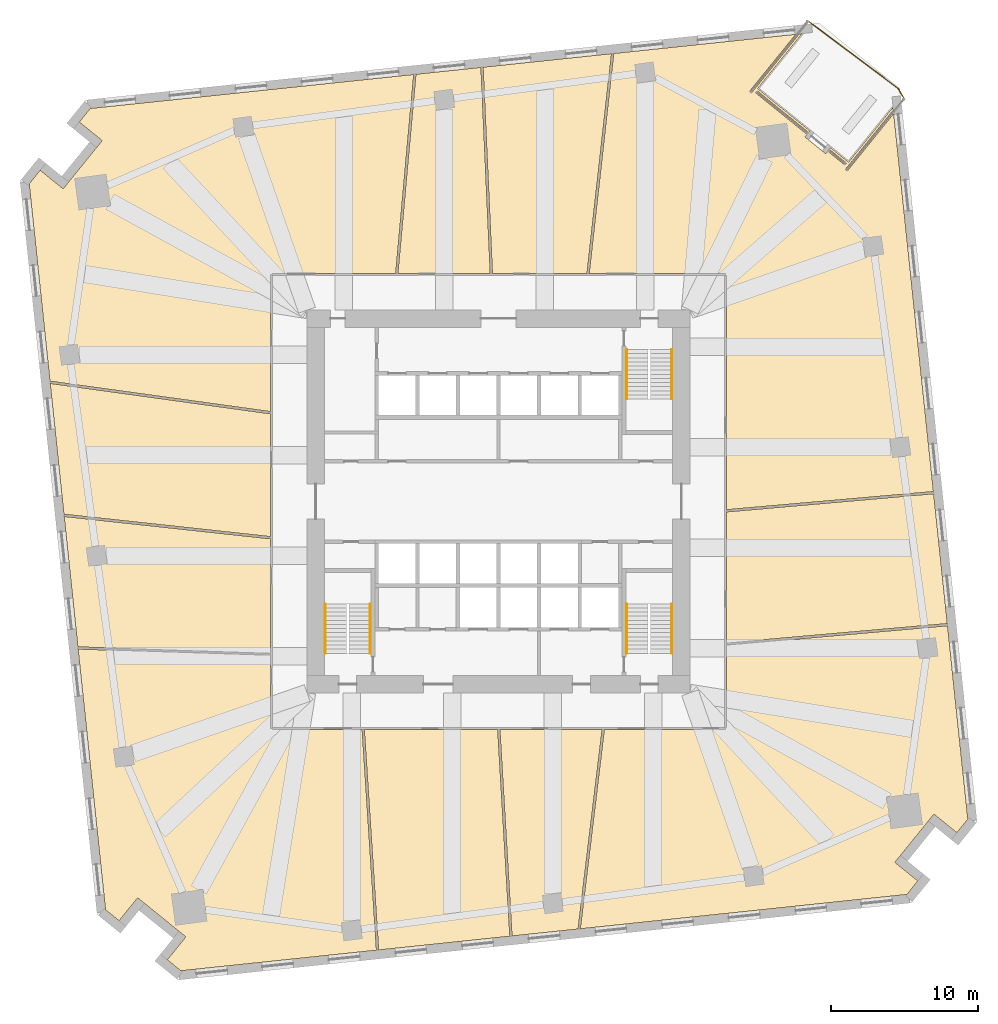
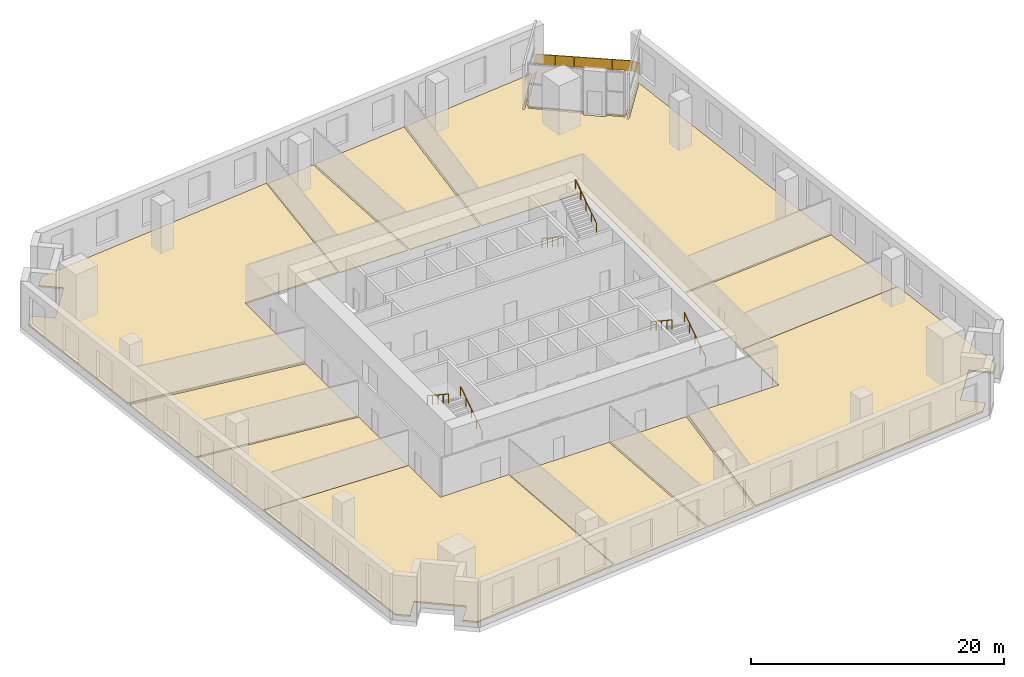
# One storey, part 9 of 10: 11 coverings, 7 railings.
"""IFC4 building model written with IfcOpenShell, lengths in metres."""

from ifc_helpers import new_model, si_unit, direction, frame, origin, origin_2d, place, context, subcontext, project, spatial, polyline, rectangle, circle, outline, extrude, material, layer, layer_set, type_object, element, save


model = new_model("IFC4")

# Units and contexts
model_context = context("Model", 3, precision=1e-05, world=origin(), true_north=direction((0.0, 1.0)))
body_context = subcontext(model_context, "Body", "Model", "MODEL_VIEW")
ifc_project = project(units=[si_unit("LENGTHUNIT", "METRE"), si_unit("AREAUNIT", "SQUARE_METRE"), si_unit("VOLUMEUNIT", "CUBIC_METRE"), si_unit("PLANEANGLEUNIT", "RADIAN"), si_unit("MASSUNIT", "GRAM", prefix="KILO")], contexts=[model_context])

# Site, building, storey
site_placement = place(None, origin())
site = spatial("IfcSite", under=ifc_project, at=site_placement, CompositionType="ELEMENT")
building_placement = place(site_placement, origin())
building = spatial("IfcBuilding", under=site, at=building_placement, Name="Dilmun Exchange Tower", CompositionType="ELEMENT")
storey_placement = place(building_placement, frame((0.0, 0.0, 46.5)))
storey = spatial("IfcBuildingStorey", under=building, at=storey_placement, Name="L10", CompositionType="ELEMENT", Elevation=46.5)

# Coverings
ifc_material_1 = material(Name="Carpet floor finish 50")
ifc_layer_1 = layer(ifc_material_1, 0.050048828125)
ifc_layer_set_1 = layer_set([ifc_layer_1], Name="Carpet floor finish 50")
covering_type_1 = type_object("IfcCoveringType", Name="Carpet floor finish 50", PredefinedType="FLOORING", material=ifc_layer_set_1)
covering_1_placement = place(storey_placement, origin())
element("IfcCovering", 1, at=covering_1_placement, inside=storey, type_object=covering_type_1, Name="Carpet floor finish 50 Broker office 1", PredefinedType="FLOORING", context=body_context, shape_type="SweptSolid", body=[
    extrude(outline(polyline([(-15.47509765625, 5.94482421875), (-15.47509765625, -2.381103515625), (-29.468994140625, -0.864990234375), (-30.4013671875, 8.004638671875), (-15.47509765625, 5.94482421875)])), origin(), (0.0, 0.0, 1.0), 0.050048828125),
])
covering_2_placement = place(storey_placement, origin())
element("IfcCovering", 2, at=covering_2_placement, inside=storey, type_object=covering_type_1, Name="Carpet floor finish 50 Trading support office 1", PredefinedType="FLOORING", context=body_context, shape_type="SweptSolid", body=[
    extrude(outline(polyline([(-15.47509765625, -2.531982421875), (-15.47509765625, -10.28662109375), (-28.5234375, -9.861083984375), (-29.452880859375, -1.017578125), (-15.47509765625, -2.531982421875)])), origin(), (0.0, 0.0, 1.0), 0.050048828125),
])
covering_3_placement = place(storey_placement, origin())
element("IfcCovering", 3, at=covering_3_placement, inside=storey, type_object=covering_type_1, Name="Carpet floor finish 50 Broker office 2", PredefinedType="FLOORING", context=body_context, shape_type="SweptSolid", body=[
    extrude(outline(polyline([(-9.098876953125, -15.47509765625), (-0.05712890625, -15.47509765625), (0.765869140625, -29.4794921875), (-8.12939453125, -30.414306640625), (-9.098876953125, -15.47509765625)])), origin(), (0.0, 0.0, 1.0), 0.050048828125),
])
covering_4_placement = place(storey_placement, origin())
element("IfcCovering", 4, at=covering_4_placement, inside=storey, type_object=covering_type_1, Name="Carpet floor finish 50 Broker office 3", PredefinedType="FLOORING", context=body_context, shape_type="SweptSolid", body=[
    extrude(outline(polyline([(-0.56298828125, 15.47509765625), (-6.822509765625, 15.47509765625), (-5.600830078125, 28.97119140625), (-1.194580078125, 29.434326171875), (-0.56298828125, 15.47509765625)])), origin(), (0.0, 0.0, 1.0), 0.050048828125),
])
covering_5_placement = place(storey_placement, origin())
element("IfcCovering", 5, at=covering_5_placement, inside=storey, type_object=covering_type_1, Name="Carpet floor finish 50 Broker office 4", PredefinedType="FLOORING", context=body_context, shape_type="SweptSolid", body=[
    extrude(outline(polyline([(5.997802734375, 15.47509765625), (-0.41259765625, 15.47509765625), (-1.045166015625, 29.4501953125), (7.659912109375, 30.364990234375), (5.997802734375, 15.47509765625)])), origin(), (0.0, 0.0, 1.0), 0.050048828125),
])
covering_6_placement = place(storey_placement, origin())
element("IfcCovering", 6, at=covering_6_placement, inside=storey, type_object=covering_type_1, Name="Carpet floor finish 50 Trading support office 2", PredefinedType="FLOORING", context=body_context, shape_type="SweptSolid", body=[
    extrude(outline(polyline([(0.093017578125, -15.47509765625), (7.022705078125, -15.47509765625), (5.392822265625, -28.9931640625), (0.915283203125, -29.463623046875), (0.093017578125, -15.47509765625)])), origin(), (0.0, 0.0, 1.0), 0.050048828125),
])
covering_7_placement = place(storey_placement, origin())
element("IfcCovering", 7, at=covering_7_placement, inside=storey, type_object=covering_type_1, Name="Carpet floor finish 50 Garden lounge", PredefinedType="FLOORING", context=body_context, shape_type="SweptSolid", body=[
    extrude(outline(polyline([(17.571044921875, 27.997314453125), (21.116455078125, 25.12646484375), (21.0263671875, 25.015380859375), (17.539306640625, 27.839111328125), (17.5390625, 27.839111328125), (17.5390625, 27.839111328125), (17.538818359375, 27.83935546875), (17.53857421875, 27.83935546875), (17.538330078125, 27.83935546875), (17.5380859375, 27.839599609375), (17.5380859375, 27.839599609375), (17.537841796875, 27.839599609375), (17.53759765625, 27.83935546875), (17.53759765625, 27.83935546875), (17.537353515625, 27.83935546875), (17.537109375, 27.839111328125), (17.536865234375, 27.839111328125), (17.536865234375, 27.839111328125), (17.53662109375, 27.8388671875), (17.53662109375, 27.838623046875), (17.435791015625, 27.71435546875), (17.435791015625, 27.714111328125), (17.435546875, 27.714111328125), (17.435546875, 27.7138671875), (17.435302734375, 27.713623046875), (17.435302734375, 27.71337890625), (17.435302734375, 27.71337890625), (17.435302734375, 27.713134765625), (17.435302734375, 27.712890625), (17.435302734375, 27.712646484375), (17.435302734375, 27.71240234375), (17.435546875, 27.71240234375), (17.435546875, 27.712158203125), (17.435791015625, 27.7119140625), (17.435791015625, 27.7119140625), (17.43603515625, 27.711669921875), (17.43603515625, 27.711669921875), (20.923095703125, 24.8876953125), (20.7861328125, 24.718505859375), (20.785888671875, 24.71826171875), (20.785888671875, 24.718017578125), (20.785888671875, 24.718017578125), (20.78564453125, 24.7177734375), (20.78564453125, 24.717529296875), (20.78564453125, 24.71728515625), (20.78564453125, 24.717041015625), (20.78564453125, 24.716796875), (20.78564453125, 24.716796875), (20.78564453125, 24.716552734375), (20.785888671875, 24.71630859375), (20.785888671875, 24.71630859375), (20.785888671875, 24.716064453125), (20.7861328125, 24.7158203125), (20.7861328125, 24.7158203125), (20.786376953125, 24.715576171875), (22.185302734375, 23.582763671875), (22.185302734375, 23.582763671875), (22.185546875, 23.58251953125), (22.185791015625, 23.58251953125), (22.185791015625, 23.58251953125), (22.18603515625, 23.58251953125), (22.186279296875, 23.58251953125), (22.1865234375, 23.58251953125), (22.186767578125, 23.58251953125), (22.18701171875, 23.58251953125), (22.18701171875, 23.58251953125), (22.187255859375, 23.58251953125), (22.1875, 23.58251953125), (22.1875, 23.582763671875), (22.187744140625, 23.582763671875), (22.18798828125, 23.5830078125), (22.18798828125, 23.5830078125), (22.3251953125, 23.75244140625), (23.48095703125, 22.816650390625), (23.481201171875, 22.816650390625), (23.481201171875, 22.81640625), (23.4814453125, 22.81640625), (23.481689453125, 22.81640625), (23.481689453125, 22.81640625), (23.48193359375, 22.816162109375), (23.482177734375, 22.816162109375), (23.482421875, 22.816162109375), (23.482666015625, 22.81640625), (23.482666015625, 22.81640625), (23.48291015625, 22.81640625), (23.483154296875, 22.81640625), (23.4833984375, 22.816650390625), (23.4833984375, 22.816650390625), (23.483642578125, 22.81689453125), (23.483642578125, 22.81689453125), (23.58447265625, 22.94140625), (23.58447265625, 22.94140625), (23.584716796875, 22.941650390625), (23.584716796875, 22.94189453125), (23.584716796875, 22.94189453125), (23.584716796875, 22.942138671875), (23.584716796875, 22.9423828125), (23.584716796875, 22.942626953125), (23.584716796875, 22.94287109375), (23.584716796875, 22.943115234375), (23.584716796875, 22.943115234375), (23.584716796875, 22.943359375), (23.584716796875, 22.943603515625), (23.58447265625, 22.943603515625), (23.58447265625, 22.94384765625), (23.584228515625, 22.944091796875), (23.583984375, 22.944091796875), (22.428466796875, 23.8798828125), (22.518310546875, 23.9912109375), (23.732421875, 23.008056640625), (26.75, 26.734619140625), (26.771240234375, 26.533447265625), (23.51318359375, 22.510009765625), (23.512939453125, 22.509765625), (23.512939453125, 22.509765625), (23.5126953125, 22.509521484375), (23.5126953125, 22.50927734375), (23.5126953125, 22.509033203125), (23.5126953125, 22.5087890625), (23.5126953125, 22.5087890625), (23.5126953125, 22.508544921875), (23.5126953125, 22.50830078125), (23.5126953125, 22.50830078125), (23.5126953125, 22.508056640625), (23.512939453125, 22.5078125), (23.512939453125, 22.507568359375), (23.51318359375, 22.507568359375), (23.51318359375, 22.50732421875), (23.513427734375, 22.507080078125), (23.6376953125, 22.406494140625), (23.637939453125, 22.406494140625), (23.637939453125, 22.40625), (23.63818359375, 22.40625), (23.638427734375, 22.406005859375), (23.638671875, 22.406005859375), (23.638916015625, 22.406005859375), (23.638916015625, 22.406005859375), (23.63916015625, 22.406005859375), (23.639404296875, 22.406005859375), (23.6396484375, 22.406005859375), (23.6396484375, 22.40625), (23.639892578125, 22.40625), (23.64013671875, 22.406494140625), (23.640380859375, 22.406494140625), (23.640380859375, 22.406494140625), (23.640380859375, 22.40673828125), (26.79541015625, 26.302734375), (29.4892578125, 0.672119140625), (15.47509765625, -0.5576171875), (15.47509765625, 15.47509765625), (6.148681640625, 15.47509765625), (7.8125, 30.381103515625), (20.156982421875, 31.678466796875), (17.002197265625, 27.78271484375), (17.001953125, 27.782470703125), (17.001953125, 27.7822265625), (17.001708984375, 27.781982421875), (17.001708984375, 27.781982421875), (17.001708984375, 27.78173828125), (17.001708984375, 27.781494140625), (17.001708984375, 27.78125), (17.001708984375, 27.781005859375), (17.001708984375, 27.781005859375), (17.001708984375, 27.78076171875), (17.001708984375, 27.780517578125), (17.001953125, 27.780517578125), (17.001953125, 27.7802734375), (17.002197265625, 27.780029296875), (17.002197265625, 27.77978515625), (17.00244140625, 27.77978515625), (17.126708984375, 27.67919921875), (17.126953125, 27.678955078125), (17.126953125, 27.678955078125), (17.127197265625, 27.6787109375), (17.12744140625, 27.6787109375), (17.127685546875, 27.6787109375), (17.127685546875, 27.6787109375), (17.1279296875, 27.6787109375), (17.128173828125, 27.6787109375), (17.12841796875, 27.6787109375), (17.128662109375, 27.6787109375), (17.128662109375, 27.6787109375), (17.12890625, 27.678955078125), (17.129150390625, 27.678955078125), (17.12939453125, 27.67919921875), (17.12939453125, 27.67919921875), (17.12939453125, 27.679443359375), (20.387451171875, 31.70263671875), (20.588623046875, 31.723876953125), (17.571044921875, 27.997314453125)])), origin(), (0.0, 0.0, 1.0), 0.050048828125),
])
covering_8_placement = place(storey_placement, origin())
element("IfcCovering", 8, at=covering_8_placement, inside=storey, type_object=covering_type_1, Name="Carpet floor finish 50 Trading support office 3", PredefinedType="FLOORING", context=body_context, shape_type="SweptSolid", body=[
    extrude(outline(polyline([(15.47509765625, -9.595947265625), (15.47509765625, -0.7080078125), (29.5048828125, 0.522705078125), (30.43017578125, -8.27880859375), (15.47509765625, -9.595947265625)])), origin(), (0.0, 0.0, 1.0), 0.050048828125),
])
ifc_material_2 = material(Name="Raised access floor 150")
ifc_layer_2 = layer(ifc_material_2, 0.14990234375)
ifc_layer_set_2 = layer_set([ifc_layer_2], Name="Raised access floor 150")
covering_type_2 = type_object("IfcCoveringType", Name="Raised access floor 150", PredefinedType="FLOORING", material=ifc_layer_set_2)
covering_9_placement = place(storey_placement, origin())
element("IfcCovering", 9, at=covering_9_placement, inside=storey, type_object=covering_type_2, Name="Raised access floor 150 Trading hall 1", PredefinedType="FLOORING", context=body_context, shape_type="SweptSolid", body=[
    extrude(outline(polyline([(-6.972900390625, 15.47509765625), (-15.47509765625, 15.47509765625), (-15.47509765625, 6.09619140625), (-30.41748046875, 8.158447265625), (-31.82421875, 21.542236328125), (-31.078857421875, 22.46240234375), (-29.526123046875, 21.205078125), (-29.52587890625, 21.204833984375), (-29.52587890625, 21.204833984375), (-29.525634765625, 21.20458984375), (-29.525390625, 21.20458984375), (-29.525390625, 21.20458984375), (-29.525146484375, 21.20458984375), (-29.52490234375, 21.20458984375), (-29.524658203125, 21.20458984375), (-29.5244140625, 21.20458984375), (-29.5244140625, 21.20458984375), (-29.524169921875, 21.20458984375), (-29.52392578125, 21.204833984375), (-29.523681640625, 21.204833984375), (-29.523681640625, 21.205078125), (-29.5234375, 21.205078125), (-29.523193359375, 21.205322265625), (-29.145751953125, 21.671630859375), (-29.145751953125, 21.671630859375), (-27.258056640625, 24.002685546875), (-27.258056640625, 24.002685546875), (-27.2578125, 24.0029296875), (-27.2578125, 24.0029296875), (-26.880126953125, 24.46923828125), (-26.8798828125, 24.469482421875), (-26.8798828125, 24.469482421875), (-26.8798828125, 24.4697265625), (-26.8798828125, 24.469970703125), (-26.879638671875, 24.47021484375), (-26.879638671875, 24.470458984375), (-26.879638671875, 24.470703125), (-26.879638671875, 24.470703125), (-26.879638671875, 24.470947265625), (-26.8798828125, 24.47119140625), (-26.8798828125, 24.47119140625), (-26.8798828125, 24.471435546875), (-26.8798828125, 24.4716796875), (-26.880126953125, 24.4716796875), (-26.88037109375, 24.471923828125), (-26.88037109375, 24.47216796875), (-28.43310546875, 25.7294921875), (-27.68798828125, 26.64990234375), (-5.7529296875, 28.955322265625), (-6.972900390625, 15.47509765625)])), origin(), (0.0, 0.0, 1.0), 0.14990234375),
])
covering_10_placement = place(storey_placement, origin())
element("IfcCovering", 10, at=covering_10_placement, inside=storey, type_object=covering_type_2, Name="Raised access floor 150 Dealing room", PredefinedType="FLOORING", context=body_context, shape_type="SweptSolid", body=[
    extrude(outline(polyline([(-15.47509765625, -10.4365234375), (-15.47509765625, -15.47509765625), (-9.2490234375, -15.47509765625), (-8.27880859375, -30.43017578125), (-21.542236328125, -31.82421875), (-22.46240234375, -31.078857421875), (-21.205078125, -29.526123046875), (-21.204833984375, -29.52587890625), (-21.204833984375, -29.52587890625), (-21.20458984375, -29.525634765625), (-21.20458984375, -29.525390625), (-21.20458984375, -29.525390625), (-21.20458984375, -29.525146484375), (-21.20458984375, -29.52490234375), (-21.20458984375, -29.524658203125), (-21.20458984375, -29.5244140625), (-21.20458984375, -29.5244140625), (-21.20458984375, -29.524169921875), (-21.204833984375, -29.52392578125), (-21.204833984375, -29.523681640625), (-21.205078125, -29.523681640625), (-21.205078125, -29.5234375), (-21.205322265625, -29.523193359375), (-21.671630859375, -29.145751953125), (-21.671630859375, -29.145751953125), (-24.002685546875, -27.258056640625), (-24.002685546875, -27.258056640625), (-24.0029296875, -27.2578125), (-24.0029296875, -27.2578125), (-24.46923828125, -26.880126953125), (-24.469482421875, -26.8798828125), (-24.469482421875, -26.8798828125), (-24.4697265625, -26.8798828125), (-24.469970703125, -26.8798828125), (-24.47021484375, -26.879638671875), (-24.470458984375, -26.879638671875), (-24.470703125, -26.879638671875), (-24.470703125, -26.879638671875), (-24.470947265625, -26.879638671875), (-24.47119140625, -26.8798828125), (-24.47119140625, -26.8798828125), (-24.471435546875, -26.8798828125), (-24.4716796875, -26.8798828125), (-24.4716796875, -26.880126953125), (-24.471923828125, -26.88037109375), (-24.47216796875, -26.88037109375), (-25.7294921875, -28.43310546875), (-26.64990234375, -27.68798828125), (-28.5078125, -10.01171875), (-15.47509765625, -10.4365234375)])), origin(), (0.0, 0.0, 1.0), 0.14990234375),
])
covering_11_placement = place(storey_placement, origin())
element("IfcCovering", 11, at=covering_11_placement, inside=storey, type_object=covering_type_2, Name="Raised access floor 150 Trading hall 2", PredefinedType="FLOORING", context=body_context, shape_type="SweptSolid", body=[
    extrude(outline(polyline([(7.173828125, -15.47509765625), (15.47509765625, -15.47509765625), (15.47509765625, -9.74658203125), (30.44580078125, -8.427978515625), (31.82421875, -21.542236328125), (31.078857421875, -22.46240234375), (29.526123046875, -21.205078125), (29.52587890625, -21.204833984375), (29.52587890625, -21.204833984375), (29.525634765625, -21.20458984375), (29.525390625, -21.20458984375), (29.525390625, -21.20458984375), (29.525146484375, -21.20458984375), (29.52490234375, -21.20458984375), (29.524658203125, -21.20458984375), (29.5244140625, -21.20458984375), (29.5244140625, -21.20458984375), (29.524169921875, -21.20458984375), (29.52392578125, -21.204833984375), (29.523681640625, -21.204833984375), (29.523681640625, -21.205078125), (29.5234375, -21.205078125), (29.523193359375, -21.205322265625), (29.145751953125, -21.671630859375), (29.145751953125, -21.671630859375), (27.258056640625, -24.002685546875), (27.258056640625, -24.002685546875), (27.2578125, -24.0029296875), (27.2578125, -24.0029296875), (26.880126953125, -24.46923828125), (26.8798828125, -24.469482421875), (26.8798828125, -24.469482421875), (26.8798828125, -24.4697265625), (26.8798828125, -24.469970703125), (26.879638671875, -24.47021484375), (26.879638671875, -24.470458984375), (26.879638671875, -24.470703125), (26.879638671875, -24.470703125), (26.879638671875, -24.470947265625), (26.8798828125, -24.47119140625), (26.8798828125, -24.47119140625), (26.8798828125, -24.471435546875), (26.8798828125, -24.4716796875), (26.880126953125, -24.4716796875), (26.88037109375, -24.471923828125), (26.88037109375, -24.47216796875), (28.43310546875, -25.7294921875), (27.68798828125, -26.64990234375), (5.5458984375, -28.97705078125), (7.173828125, -15.47509765625)])), origin(), (0.0, 0.0, 1.0), 0.14990234375),
])

# Railings
ifc_material_3 = material(Name="Stainless steel", Category="steel")
railing_type_1 = type_object("IfcRailingType", Name="Stair handrail 900", PredefinedType="HANDRAIL", material=ifc_material_3)
railing_1_placement = place(storey_placement, frame((8.699951171875, 10.300048828125, 0.1845703125)))
element("IfcRailing", 12, at=railing_1_placement, inside=storey, type_object=railing_type_1, Name="L10 ST1 stair handrail 1", PredefinedType="HANDRAIL", context=body_context, shape_type="SweptSolid", body=[
    extrude(circle(Radius=0.02392578125, at=origin_2d()), frame((0.0, 0.0, 0.8759765625), z_axis=(0.0, -0.834876476806, 0.550437342915), x_axis=(1.0, 0.0, 0.0)), (0.0, 0.0, 1.0), 4.024658203125),
    extrude(circle(Radius=0.02099609375, at=origin_2d()), origin(), (0.0, 0.0, 1.0), 0.851806640625),
    extrude(circle(Radius=0.02099609375, at=origin_2d()), frame((0.0, -0.840087890625, 0.5537109375)), (0.0, 0.0, 1.0), 0.851806640625),
    extrude(circle(Radius=0.02099609375, at=origin_2d()), frame((0.0, -1.68017578125, 1.107666015625)), (0.0, 0.0, 1.0), 0.851806640625),
    extrude(circle(Radius=0.02099609375, at=origin_2d()), frame((0.0, -2.52001953125, 1.66162109375)), (0.0, 0.0, 1.0), 0.851806640625),
    extrude(circle(Radius=0.02099609375, at=origin_2d()), frame((0.0, -3.360107421875, 2.21533203125)), (0.0, 0.0, 1.0), 0.851806640625),
])
for number, where, name in (
    (13, (11.75, 6.93994140625, 2.584716796875), "L10 ST1 stair handrail 2"),
    (14, (-8.699951171875, -10.300048828125, 0.1845703125), "L10 ST2 stair handrail 1"),
):
    element("IfcRailing", number, at=place(storey_placement, frame(where)), inside=storey, type_object=railing_type_1, Name=name, PredefinedType="HANDRAIL", context=body_context, shape_type="SweptSolid", body=[
        extrude(circle(Radius=0.02392578125, at=origin_2d()), frame((0.0, 0.0, 0.8759765625), z_axis=(0.0, 0.834876476806, 0.550437342915), x_axis=(-1.0, 0.0, 0.0)), (0.0, 0.0, 1.0), 4.024658203125),
        extrude(circle(Radius=0.02099609375, at=origin_2d()), origin(), (0.0, 0.0, 1.0), 0.851806640625),
        extrude(circle(Radius=0.02099609375, at=origin_2d()), frame((0.0, 0.840087890625, 0.5537109375)), (0.0, 0.0, 1.0), 0.851806640625),
        extrude(circle(Radius=0.02099609375, at=origin_2d()), frame((0.0, 1.68017578125, 1.107666015625)), (0.0, 0.0, 1.0), 0.851806640625),
        extrude(circle(Radius=0.02099609375, at=origin_2d()), frame((0.0, 2.52001953125, 1.66162109375)), (0.0, 0.0, 1.0), 0.851806640625),
        extrude(circle(Radius=0.02099609375, at=origin_2d()), frame((0.0, 3.360107421875, 2.21533203125)), (0.0, 0.0, 1.0), 0.851806640625),
    ])
railing_2_placement = place(storey_placement, frame((-11.75, -6.93994140625, 2.584716796875)))
element("IfcRailing", 15, at=railing_2_placement, inside=storey, type_object=railing_type_1, Name="L10 ST2 stair handrail 2", PredefinedType="HANDRAIL", context=body_context, shape_type="SweptSolid", body=[
    extrude(circle(Radius=0.02392578125, at=origin_2d()), frame((0.0, 0.0, 0.8759765625), z_axis=(0.0, -0.834876476806, 0.550437342915), x_axis=(1.0, 0.0, 0.0)), (0.0, 0.0, 1.0), 4.024658203125),
    extrude(circle(Radius=0.02099609375, at=origin_2d()), origin(), (0.0, 0.0, 1.0), 0.851806640625),
    extrude(circle(Radius=0.02099609375, at=origin_2d()), frame((0.0, -0.840087890625, 0.5537109375)), (0.0, 0.0, 1.0), 0.851806640625),
    extrude(circle(Radius=0.02099609375, at=origin_2d()), frame((0.0, -1.68017578125, 1.107666015625)), (0.0, 0.0, 1.0), 0.851806640625),
    extrude(circle(Radius=0.02099609375, at=origin_2d()), frame((0.0, -2.52001953125, 1.66162109375)), (0.0, 0.0, 1.0), 0.851806640625),
    extrude(circle(Radius=0.02099609375, at=origin_2d()), frame((0.0, -3.360107421875, 2.21533203125)), (0.0, 0.0, 1.0), 0.851806640625),
])
railing_3_placement = place(storey_placement, frame((11.75, -10.300048828125, 0.1845703125)))
element("IfcRailing", 16, at=railing_3_placement, inside=storey, type_object=railing_type_1, Name="L10 ST3 stair handrail 1", PredefinedType="HANDRAIL", context=body_context, shape_type="SweptSolid", body=[
    extrude(circle(Radius=0.02392578125, at=origin_2d()), frame((0.0, 0.0, 0.8759765625), z_axis=(0.0, 0.834876476806, 0.550437342915), x_axis=(-1.0, 0.0, 0.0)), (0.0, 0.0, 1.0), 4.024658203125),
    extrude(circle(Radius=0.02099609375, at=origin_2d()), origin(), (0.0, 0.0, 1.0), 0.851806640625),
    extrude(circle(Radius=0.02099609375, at=origin_2d()), frame((0.0, 0.840087890625, 0.5537109375)), (0.0, 0.0, 1.0), 0.851806640625),
    extrude(circle(Radius=0.02099609375, at=origin_2d()), frame((0.0, 1.68017578125, 1.107666015625)), (0.0, 0.0, 1.0), 0.851806640625),
    extrude(circle(Radius=0.02099609375, at=origin_2d()), frame((0.0, 2.52001953125, 1.66162109375)), (0.0, 0.0, 1.0), 0.851806640625),
    extrude(circle(Radius=0.02099609375, at=origin_2d()), frame((0.0, 3.360107421875, 2.21533203125)), (0.0, 0.0, 1.0), 0.851806640625),
])
railing_4_placement = place(storey_placement, frame((8.699951171875, -6.93994140625, 2.584716796875)))
element("IfcRailing", 17, at=railing_4_placement, inside=storey, type_object=railing_type_1, Name="L10 ST3 stair handrail 2", PredefinedType="HANDRAIL", context=body_context, shape_type="SweptSolid", body=[
    extrude(circle(Radius=0.02392578125, at=origin_2d()), frame((0.0, 0.0, 0.8759765625), z_axis=(0.0, -0.834876476806, 0.550437342915), x_axis=(1.0, 0.0, 0.0)), (0.0, 0.0, 1.0), 4.024658203125),
    extrude(circle(Radius=0.02099609375, at=origin_2d()), origin(), (0.0, 0.0, 1.0), 0.851806640625),
    extrude(circle(Radius=0.02099609375, at=origin_2d()), frame((0.0, -0.840087890625, 0.5537109375)), (0.0, 0.0, 1.0), 0.851806640625),
    extrude(circle(Radius=0.02099609375, at=origin_2d()), frame((0.0, -1.68017578125, 1.107666015625)), (0.0, 0.0, 1.0), 0.851806640625),
    extrude(circle(Radius=0.02099609375, at=origin_2d()), frame((0.0, -2.52001953125, 1.66162109375)), (0.0, 0.0, 1.0), 0.851806640625),
    extrude(circle(Radius=0.02099609375, at=origin_2d()), frame((0.0, -3.360107421875, 2.21533203125)), (0.0, 0.0, 1.0), 0.851806640625),
])
railing_type_2 = type_object("IfcRailingType", Name="Terrace guard 1100 stainless steel", PredefinedType="GUARDRAIL", material=ifc_material_3)
railing_5_placement = place(storey_placement, frame((20.996826171875, 32.58544921875, 0.0)))
element("IfcRailing", 18, at=railing_5_placement, inside=storey, type_object=railing_type_2, Name="Terrace guard 1", PredefinedType="GUARDRAIL", context=body_context, shape_type="SweptSolid", body=[
    extrude(circle(Radius=0.02392578125, at=origin_2d()), frame((0.0, 0.0, 1.076171875), z_axis=(0.799366684391, -0.60084349367, 0.0), x_axis=(0.60084349367, 0.799366684391, 0.0)), (0.0, 0.0, 1.0), 7.63818359375),
    extrude(rectangle(XDim=0.011962890625, YDim=0.951904296875, at=origin_2d()), frame((0.0, 0.0, 0.576171875), z_axis=(0.799366684391, -0.60084349367, 0.0), x_axis=(0.60084349367, 0.799366684391, 0.0)), (0.0, 0.0, 1.0), 7.63818359375),
    extrude(circle(Radius=0.02392578125, at=origin_2d()), frame((6.105712890625, -4.58935546875, 1.076171875), z_axis=(0.510105595522, -0.860111784257, 0.0), x_axis=(0.860111784257, 0.510105595522, 0.0)), (0.0, 0.0, 1.0), 0.79443359375),
    extrude(rectangle(XDim=0.011962890625, YDim=0.951904296875, at=origin_2d()), frame((6.105712890625, -4.58935546875, 0.576171875), z_axis=(0.510105595522, -0.860111784257, 0.0), x_axis=(0.860111784257, 0.510105595522, 0.0)), (0.0, 0.0, 1.0), 0.79443359375),
    extrude(circle(Radius=0.02099609375, at=origin_2d()), origin(), (0.0, 0.0, 1.0), 1.052001953125),
    extrude(circle(Radius=0.02099609375, at=origin_2d()), frame((1.22119140625, -0.91796875, 0.0)), (0.0, 0.0, 1.0), 1.052001953125),
    extrude(circle(Radius=0.02099609375, at=origin_2d()), frame((2.4423828125, -1.835693359375, 0.0)), (0.0, 0.0, 1.0), 1.052001953125),
    extrude(circle(Radius=0.02099609375, at=origin_2d()), frame((3.663330078125, -2.753662109375, 0.0)), (0.0, 0.0, 1.0), 1.052001953125),
    extrude(circle(Radius=0.02099609375, at=origin_2d()), frame((4.884521484375, -3.67138671875, 0.0)), (0.0, 0.0, 1.0), 1.052001953125),
    extrude(circle(Radius=0.02099609375, at=origin_2d()), frame((6.105712890625, -4.58935546875, 0.0)), (0.0, 0.0, 1.0), 1.052001953125),
    extrude(circle(Radius=0.02099609375, at=origin_2d()), frame((6.510986328125, -5.272705078125, 0.0)), (0.0, 0.0, 1.0), 1.052001953125),
])

save(model, "model.ifc")
